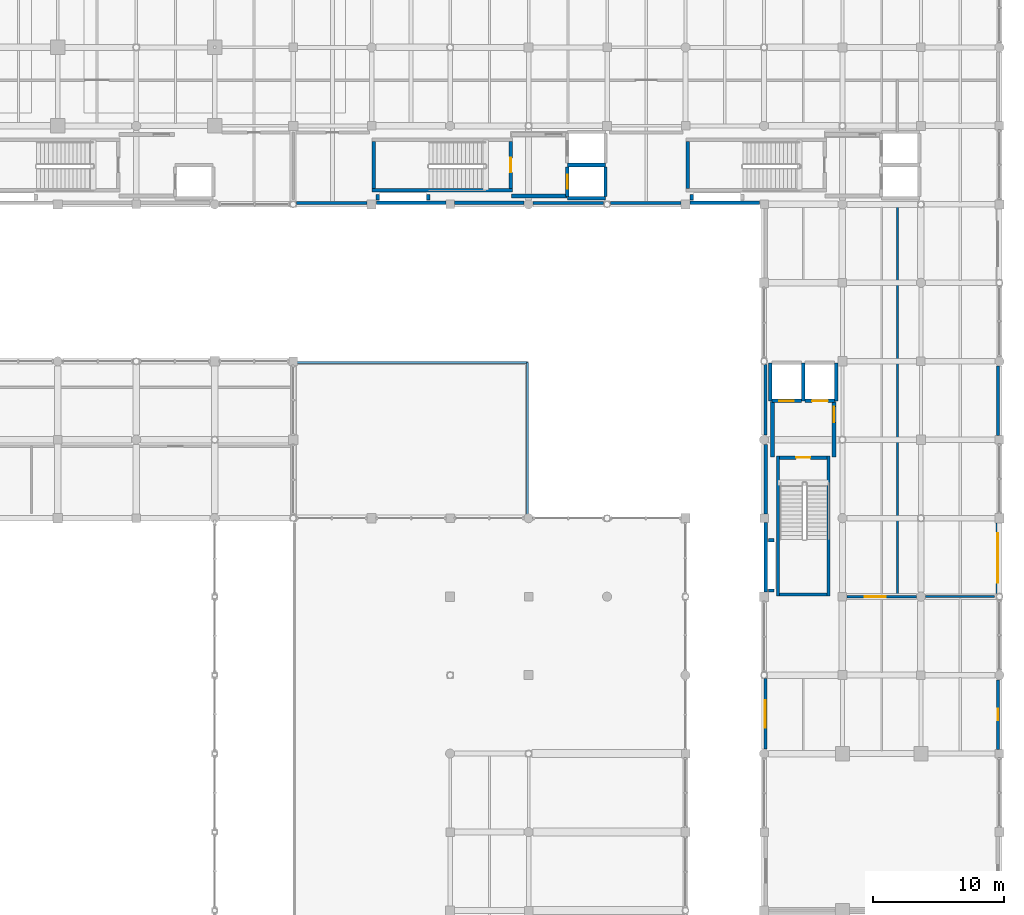
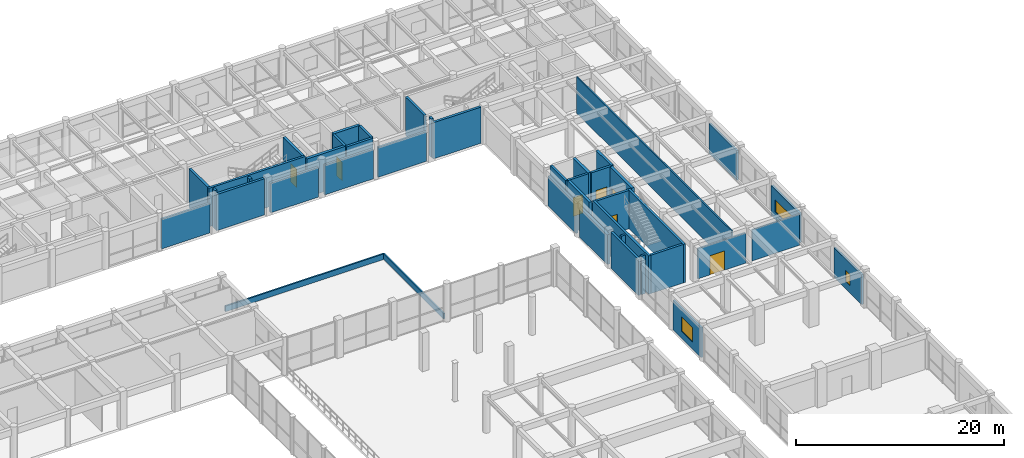
# One storey, part 94 of 116: 43 walls, 7 doors, 3 windows, 10 openings.
"""IFC4 building model written with IfcOpenShell, lengths in metres."""

import ifcopenshell
import ifcopenshell.guid

model = None  # the IFC model being written
_history = None  # IfcOwnerHistory: only IFC2X3 demands one
_inside = {}  # id of a spatial element -> (the spatial element, [elements in it])
_under = {}  # id of a project, library or spatial element -> (it, [spatial elements below it])
_declared = {}  # id of a project -> (the project, [libraries it declares])
_typed = {}  # id of a type object -> (the type object, [elements of that type])
_made_of = {}  # id of a material, layer set ... -> (it, [elements and type objects made of it])


def new_model(schema):
    """Start an empty IFC model of exactly this schema.

    Asked for "IFC4X3", IfcOpenShell would pick the latest addendum, in which some entities
    have other attributes; the version numbers below select the first issue.
    IFC2X3 requires an IfcOwnerHistory on every rooted entity: one is made here for all.
    """
    global model, _history
    if schema == "IFC4X3":
        model = ifcopenshell.file(schema_version=(4, 3, 0, 0))
    else:
        model = ifcopenshell.file(schema=schema)
    _inside.clear()
    _under.clear()
    _declared.clear()
    _typed.clear()
    _made_of.clear()
    _history = None
    if model.schema == "IFC2X3":
        org = make("IfcOrganization", Name="unknown")
        user = make(
            "IfcPersonAndOrganization",
            ThePerson=make("IfcPerson", FamilyName="unknown"),
            TheOrganization=org,
        )
        app = make(
            "IfcApplication",
            ApplicationDeveloper=org,
            Version="unknown",
            ApplicationFullName="unknown",
            ApplicationIdentifier="unknown",
        )
        _history = make(
            "IfcOwnerHistory",
            OwningUser=user,
            OwningApplication=app,
            ChangeAction="ADDED",
            CreationDate=0,
        )
    return model


def make(cls, **values):
    """One entity of the class cls with the attributes given. An attribute that is None is left unset."""
    return model.create_entity(
        cls, **{name: value for name, value in values.items() if value is not None}
    )


def rooted(cls, **values):
    """An entity with a GlobalId (a new one), such as an element, a storey or a relation."""
    return make(cls, GlobalId=ifcopenshell.guid.new(), OwnerHistory=_history, **values)


def si_unit(unit_type, name, prefix=None):
    """IfcSIUnit, for example si_unit("LENGTHUNIT", "METRE", prefix="MILLI")."""
    return make("IfcSIUnit", UnitType=unit_type, Prefix=prefix, Name=name)


def assignment(units):
    """IfcUnitAssignment: the units of a project."""
    return None if units is None else make("IfcUnitAssignment", Units=units)


def point(xyz):
    """IfcCartesianPoint."""
    return None if xyz is None else make("IfcCartesianPoint", Coordinates=xyz)


def direction(xyz):
    """IfcDirection."""
    return None if xyz is None else make("IfcDirection", DirectionRatios=xyz)


def frame(location, z_axis=None, x_axis=None):
    """IfcAxis2Placement3D, a coordinate frame: its origin and axes. An axis left out is left unset."""
    return make(
        "IfcAxis2Placement3D",
        Location=point(location),
        Axis=direction(z_axis),
        RefDirection=direction(x_axis),
    )


def frame_2d(location, x_axis=None):
    """IfcAxis2Placement2D, a coordinate frame in the plane: its origin and x axis."""
    return make(
        "IfcAxis2Placement2D", Location=point(location), RefDirection=direction(x_axis)
    )


def origin():
    """The frame at (0, 0, 0) with its axes left unset."""
    return frame((0.0, 0.0, 0.0))


def place(relative_to, where):
    """IfcLocalPlacement: puts the frame where relative to a parent placement (None: the world)."""
    return make(
        "IfcLocalPlacement", PlacementRelTo=relative_to, RelativePlacement=where
    )


def context(
    kind, dimensions, precision=None, world=None, true_north=None, identifier=None
):
    """IfcGeometricRepresentationContext, for example the 3D "Model" context."""
    return make(
        "IfcGeometricRepresentationContext",
        ContextIdentifier=identifier,
        ContextType=kind,
        CoordinateSpaceDimension=dimensions,
        Precision=precision,
        WorldCoordinateSystem=world,
        TrueNorth=true_north,
    )


def subcontext(parent, identifier, kind, view, scale=None):
    """IfcGeometricRepresentationSubContext, for example "Body" below "Model"."""
    return make(
        "IfcGeometricRepresentationSubContext",
        ContextIdentifier=identifier,
        ContextType=kind,
        ParentContext=parent,
        TargetScale=scale,
        TargetView=view,
    )


def project(units=None, contexts=None):
    """IfcProject with its units and contexts."""
    return rooted(
        "IfcProject",
        Name="project",
        RepresentationContexts=contexts,
        UnitsInContext=assignment(units),
    )


def spatial(cls, under=None, at=None, **own):
    """A site, building, storey or space (cls), placed at a placement, below another one or the project."""
    s = rooted(cls, ObjectPlacement=at, **own)
    if under is not None:
        _under.setdefault(under.id(), (under, []))[1].append(s)
    return s


def profile(cls, at=None, kind="AREA", **sizes):
    """A parametric profile (cls). Its sizes go by their IFC names, for example OverallWidth=200.0."""
    return make(cls, ProfileType=kind, Position=at, **sizes)


def rectangle(**sizes):
    """IfcRectangleProfileDef."""
    return profile("IfcRectangleProfileDef", **sizes)


def extrude(swept, where, along, depth):
    """IfcExtrudedAreaSolid: the profile swept, set in the frame where, extruded along a direction by depth."""
    return make(
        "IfcExtrudedAreaSolid",
        SweptArea=swept,
        Position=where,
        ExtrudedDirection=direction(along),
        Depth=depth,
    )


def shape(context_of_items, identifier, shape_type, items):
    """IfcShapeRepresentation: the items that make up one representation, for example the "Body"."""
    return make(
        "IfcShapeRepresentation",
        ContextOfItems=context_of_items,
        RepresentationIdentifier=identifier,
        RepresentationType=shape_type,
        Items=items,
    )


def material(Name=None, Category=None):
    """IfcMaterial."""
    return make("IfcMaterial", Name=Name, Category=Category)


def layer(
    of_material, thickness, ventilated=None, Name=None, Category=None, Priority=None
):
    """IfcMaterialLayer: one layer of a wall or slab, of a material (None: an air gap)."""
    return make(
        "IfcMaterialLayer",
        Material=of_material,
        LayerThickness=thickness,
        IsVentilated=ventilated,
        Name=Name,
        Category=Category,
        Priority=Priority,
    )


def layer_set(layers, Name=None):
    """IfcMaterialLayerSet."""
    return make("IfcMaterialLayerSet", MaterialLayers=layers, LayerSetName=Name)


def made_of(thing, what):
    """Note that an element or type object is made of a material, layer set ...; save() writes the relation."""
    if what is not None:
        _made_of.setdefault(what.id(), (what, []))[1].append(thing)
    return thing


def type_object(cls, material=None, **own):
    """A type object (cls), such as IfcWallType, which elements share."""
    return made_of(rooted(cls, **own), material)


def element(
    cls,
    number,
    at=None,
    inside=None,
    cuts=None,
    type_object=None,
    material=None,
    context=None,
    identifier="Body",
    shape_type=None,
    held_by="IfcProductDefinitionShape",
    body=None,
    shapes=None,
    **own,
):
    """One element of the class cls, such as IfcWall. Its Tag is "e" and its number.

    at: its placement. inside: the storey or other place that contains it. cuts: it is an
    opening in that element (IfcRelVoidsElement). A single representation is given by context,
    identifier, shape_type and body (its items); several are given by shapes. held_by: the class
    of the entity that holds the representations. save() writes the other relations.
    """
    e = rooted(cls, Tag="e%d" % number, ObjectPlacement=at, **own)
    if body is not None:
        shapes = [shape(context, identifier, shape_type, body)]
    if shapes is not None:
        e.Representation = make(held_by, Representations=shapes)
    if inside is not None:
        _inside.setdefault(inside.id(), (inside, []))[1].append(e)
    if cuts is not None:
        rooted(
            "IfcRelVoidsElement", RelatingBuildingElement=cuts, RelatedOpeningElement=e
        )
    if type_object is not None:
        _typed.setdefault(type_object.id(), (type_object, []))[1].append(e)
    return made_of(e, material)


def fill(opening, filler):
    """IfcRelFillsElement: the door or window that sits in an opening."""
    return rooted(
        "IfcRelFillsElement",
        RelatingOpeningElement=opening,
        RelatedBuildingElement=filler,
    )


def aggregate(whole, parts):
    """IfcRelAggregates: a whole, such as a stair, and the parts it consists of."""
    return rooted("IfcRelAggregates", RelatingObject=whole, RelatedObjects=parts)


def save(model, path):
    """Write the relations noted so far, then the file.

    IfcRelAggregates (storeys below a building ...), IfcRelContainedInSpatialStructure (elements
    in a storey), IfcRelDefinesByType, IfcRelAssociatesMaterial and IfcRelDeclares: one each for
    every whole, place, type object, material and project.
    """
    for whole, parts in _under.values():
        aggregate(whole, parts)
    for where, things in _inside.values():
        rooted(
            "IfcRelContainedInSpatialStructure",
            RelatedElements=things,
            RelatingStructure=where,
        )
    for kind, things in _typed.values():
        rooted("IfcRelDefinesByType", RelatedObjects=things, RelatingType=kind)
    for what, things in _made_of.values():
        rooted("IfcRelAssociatesMaterial", RelatedObjects=things, RelatingMaterial=what)
    for by, libraries in _declared.values():
        rooted("IfcRelDeclares", RelatingContext=by, RelatedDefinitions=libraries)
    model.write(path)


model = new_model("IFC4")

# Units and contexts
model_context = context("Model", 3, precision=1e-05, world=origin(), true_north=direction((0.0, 1.0)))
body_context = subcontext(model_context, "Body", "Model", "MODEL_VIEW")
ifc_project = project(units=[si_unit("LENGTHUNIT", "METRE"), si_unit("AREAUNIT", "SQUARE_METRE"), si_unit("VOLUMEUNIT", "CUBIC_METRE"), si_unit("PLANEANGLEUNIT", "RADIAN"), si_unit("MASSUNIT", "GRAM", prefix="KILO"), si_unit("THERMODYNAMICTEMPERATUREUNIT", "KELVIN"), si_unit("POWERUNIT", "WATT")], contexts=[model_context])

# Site, building, storey
site_placement = place(None, origin())
site = spatial("IfcSite", under=ifc_project, at=site_placement, CompositionType="ELEMENT")
building_placement = place(site_placement, origin())
building = spatial("IfcBuilding", under=site, at=building_placement, Name="Phaisarnlok Congress Hotel", CompositionType="ELEMENT")
storey_placement = place(building_placement, frame((0.0, 0.0, 10.5)))
storey = spatial("IfcBuildingStorey", under=building, at=storey_placement, Name="L02", CompositionType="ELEMENT", Elevation=10.5)

# Walls
ifc_material_1 = material(Name="Concrete C40/50", Category="concrete")
ifc_layer_1 = layer(ifc_material_1, 0.2099609375, Name="Concrete C40/50")
ifc_layer_set_1 = layer_set([ifc_layer_1], Name="Concrete C40/50")
wall_type_1 = type_object("IfcWallType", Name="WL-EXT-210", PredefinedType="SOLIDWALL", material=ifc_layer_set_1)
for number, where, z_axis, x_axis, name in (
    (1, (126.259033203125, 108.10498046875, 0.0), (0.0, 0.0, 1.0), (1.0, 0.0, 0.0), "Exterior wall EW-07 (L02)"),
    (2, (150.259033203125, 108.10498046875, 0.0), (0.0, 0.0, 1.0), (1.0, 0.0, 0.0), "Exterior wall EW-07 (L02)"),
    (3, (162.10498046875, 95.740966796875, 0.0), (0.0, 0.0, 1.0), (0.0, -1.0, 0.0), "Exterior wall EW-07 (L02)"),
):
    element("IfcWall", number, at=place(storey_placement, frame(where, z_axis=z_axis, x_axis=x_axis)), inside=storey, type_object=wall_type_1, Name=name, PredefinedType="SOLIDWALL", context=body_context, shape_type="SweptSolid", body=[
        extrude(rectangle(XDim=5.385986328125, YDim=0.2099609375, at=frame_2d((2.69287109375, 0.0))), origin(), (0.0, 0.0, 1.0), 3.489990234375),
    ])

# Wall, opening, window
wall_1_placement = place(storey_placement, frame((162.10498046875, 71.740966796875, 0.0), z_axis=(0.0, 0.0, 1.0), x_axis=(0.0, -1.0, 0.0)))
wall_1 = element("IfcWall", 4, at=wall_1_placement, inside=storey, type_object=wall_type_1, Name="Exterior wall EW-07 (L02)", PredefinedType="SOLIDWALL", context=body_context, shape_type="SweptSolid", body=[
    extrude(rectangle(XDim=5.385986328125, YDim=0.2099609375, at=frame_2d((2.69287109375, 0.0))), origin(), (0.0, 0.0, 1.0), 3.489990234375),
])
opening_1_placement = place(wall_1_placement, frame((1.64306640625, 0.0, 0.85009765625)))
opening_1 = element("IfcOpeningElement", 5, at=opening_1_placement, cuts=wall_1, Name="Opening W-09", PredefinedType="OPENING", context=body_context, shape_type="SweptSolid", body=[
    extrude(rectangle(XDim=2.10009765625, YDim=1.699951171875, at=frame_2d((1.050048828125, 0.85009765625))), frame((0.0, 0.114990234375, 0.0), z_axis=(0.0, -1.0, 0.0), x_axis=(1.0, 0.0, 0.0)), (0.0, 0.0, 1.0), 0.22998046875),
])
ifc_material_2 = material(Name="Thermally Broken Aluminium & Low-E Double Glazing", Category="aluminium")
window_type_1 = type_object("IfcWindowType", Name="WIN-POD-2100", PartitioningType="SINGLE_PANEL", PredefinedType="WINDOW", material=ifc_material_2)
window_1_placement = place(opening_1_placement, origin())
window_1 = element("IfcWindow", 6, at=window_1_placement, inside=storey, type_object=window_type_1, Name="Podium window W-09 (L02)", OverallHeight=1.699951171875, OverallWidth=2.10009765625, PartitioningType="SINGLE_PANEL", PredefinedType="WINDOW", context=body_context, shape_type="SweptSolid", body=[
    extrude(rectangle(XDim=2.10009765625, YDim=1.699951171875, at=frame_2d((1.050048828125, 0.85009765625))), frame((0.0, 0.030029296875, 0.0), z_axis=(0.0, -1.0, 0.0), x_axis=(1.0, 0.0, 0.0)), (0.0, 0.0, 1.0), 0.06005859375),
])
fill(opening_1, window_1)

wall_2_placement = place(storey_placement, frame((179.89501953125, 66.330078125, 0.0), z_axis=(0.0, 0.0, 1.0), x_axis=(0.0, 1.0, 0.0)))
wall_2 = element("IfcWall", 7, at=wall_2_placement, inside=storey, type_object=wall_type_1, Name="Exterior wall EW-07 (L02)", PredefinedType="SOLIDWALL", context=body_context, shape_type="SweptSolid", body=[
    extrude(rectangle(XDim=5.31494140625, YDim=0.2099609375, at=frame_2d((2.657470703125, 0.0))), origin(), (0.0, 0.0, 1.0), 3.489990234375),
])
opening_2_placement = place(wall_2_placement, frame((2.20703125, 0.0, 0.85009765625)))
opening_2 = element("IfcOpeningElement", 8, at=opening_2_placement, cuts=wall_2, Name="Opening W-16", PredefinedType="OPENING", context=body_context, shape_type="SweptSolid", body=[
    extrude(rectangle(XDim=0.89990234375, YDim=1.300048828125, at=frame_2d((0.449951171875, 0.64990234375))), frame((0.0, 0.114990234375, 0.0), z_axis=(0.0, -1.0, 0.0), x_axis=(1.0, 0.0, 0.0)), (0.0, 0.0, 1.0), 0.22998046875),
])
window_type_2 = type_object("IfcWindowType", Name="WIN-POD-0900", PartitioningType="SINGLE_PANEL", PredefinedType="WINDOW", material=ifc_material_2)
window_2_placement = place(opening_2_placement, origin())
window_2 = element("IfcWindow", 9, at=window_2_placement, inside=storey, type_object=window_type_2, Name="Podium window W-16 (L02)", OverallHeight=1.300048828125, OverallWidth=0.89990234375, PartitioningType="SINGLE_PANEL", PredefinedType="WINDOW", context=body_context, shape_type="SweptSolid", body=[
    extrude(rectangle(XDim=0.89990234375, YDim=1.300048828125, at=frame_2d((0.449951171875, 0.64990234375))), frame((0.0, 0.030029296875, 0.0), z_axis=(0.0, -1.0, 0.0), x_axis=(1.0, 0.0, 0.0)), (0.0, 0.0, 1.0), 0.06005859375),
])
fill(opening_2, window_2)

# Walls
wall_3_placement = place(storey_placement, frame((179.89501953125, 90.330078125, 0.0), z_axis=(0.0, 0.0, 1.0), x_axis=(0.0, 1.0, 0.0)))
element("IfcWall", 10, at=wall_3_placement, inside=storey, type_object=wall_type_1, Name="Exterior wall EW-07 (L02)", PredefinedType="SOLIDWALL", context=body_context, shape_type="SweptSolid", body=[
    extrude(rectangle(XDim=5.31494140625, YDim=0.2099609375, at=frame_2d((2.657470703125, 0.0))), origin(), (0.0, 0.0, 1.0), 3.489990234375),
])
ifc_layer_2 = layer(ifc_material_1, 0.22998046875, Name="Concrete C40/50")
ifc_layer_set_2 = layer_set([ifc_layer_2], Name="Concrete C40/50")
wall_type_2 = type_object("IfcWallType", Name="WL-EXT-230", PredefinedType="SOLIDWALL", material=ifc_layer_set_2)
wall_4_placement = place(storey_placement, frame((144.35498046875, 108.114990234375, 0.0), z_axis=(0.0, 0.0, 1.0), x_axis=(1.0, 0.0, 0.0)))
element("IfcWall", 11, at=wall_4_placement, inside=storey, type_object=wall_type_2, Name="Exterior wall EW-06 (L02)", PredefinedType="SOLIDWALL", context=body_context, shape_type="SweptSolid", body=[
    extrude(rectangle(XDim=5.385986328125, YDim=0.22998046875, at=frame_2d((2.69287109375, 0.0))), origin(), (0.0, 0.0, 1.0), 3.489990234375),
])
ifc_layer_3 = layer(ifc_material_1, 0.25, Name="Concrete C40/50")
ifc_layer_set_3 = layer_set([ifc_layer_3], Name="Concrete C40/50")
wall_type_3 = type_object("IfcWallType", Name="WL-EXT-250", PredefinedType="SOLIDWALL", material=ifc_layer_set_3)
wall_5_placement = place(storey_placement, frame((138.330078125, 108.125, 0.0), z_axis=(0.0, 0.0, 1.0), x_axis=(1.0, 0.0, 0.0)))
element("IfcWall", 12, at=wall_5_placement, inside=storey, type_object=wall_type_3, Name="Exterior wall EW-05 (L02)", PredefinedType="SOLIDWALL", context=body_context, shape_type="SweptSolid", body=[
    extrude(rectangle(XDim=5.31494140625, YDim=0.25, at=frame_2d((2.657470703125, 0.0))), origin(), (0.0, 0.0, 1.0), 3.489990234375),
])
wall_6_placement = place(storey_placement, frame((162.125, 83.669921875, 0.0), z_axis=(0.0, 0.0, 1.0), x_axis=(0.0, -1.0, 0.0)))
element("IfcWall", 13, at=wall_6_placement, inside=storey, type_object=wall_type_3, Name="Exterior wall EW-05 (L02)", PredefinedType="SOLIDWALL", context=body_context, shape_type="SweptSolid", body=[
    extrude(rectangle(XDim=5.31494140625, YDim=0.25, at=frame_2d((2.657470703125, 0.0))), origin(), (0.0, 0.0, 1.0), 4.239990234375),
])

# Wall, opening, window
wall_7_placement = place(storey_placement, frame((179.875, 78.259033203125, 0.0), z_axis=(0.0, 0.0, 1.0), x_axis=(0.0, 1.0, 0.0)))
wall_7 = element("IfcWall", 14, at=wall_7_placement, inside=storey, type_object=wall_type_3, Name="Exterior wall EW-05 (L02)", PredefinedType="SOLIDWALL", context=body_context, shape_type="SweptSolid", body=[
    extrude(rectangle(XDim=5.385986328125, YDim=0.25, at=frame_2d((2.69287109375, 0.0))), origin(), (0.0, 0.0, 1.0), 3.489990234375),
])
opening_3_placement = place(wall_7_placement, frame((0.79296875, 0.0, 0.85009765625)))
opening_3 = element("IfcOpeningElement", 15, at=opening_3_placement, cuts=wall_7, Name="Opening W-17", PredefinedType="OPENING", context=body_context, shape_type="SweptSolid", body=[
    extrude(rectangle(XDim=3.800048828125, YDim=1.449951171875, at=frame_2d((1.89990234375, 0.72509765625))), frame((0.0, 0.135009765625, 0.0), z_axis=(0.0, -1.0, 0.0), x_axis=(1.0, 0.0, 0.0)), (0.0, 0.0, 1.0), 0.27001953125),
])
window_type_3 = type_object("IfcWindowType", Name="WIN-RIB-3800", PartitioningType="SINGLE_PANEL", PredefinedType="WINDOW", material=ifc_material_2)
window_3_placement = place(opening_3_placement, origin())
window_3 = element("IfcWindow", 16, at=window_3_placement, inside=storey, type_object=window_type_3, Name="Podium window W-17 (L02)", OverallHeight=1.449951171875, OverallWidth=3.800048828125, PartitioningType="SINGLE_PANEL", PredefinedType="WINDOW", context=body_context, shape_type="SweptSolid", body=[
    extrude(rectangle(XDim=3.800048828125, YDim=1.449951171875, at=frame_2d((1.89990234375, 0.72509765625))), frame((0.0, 0.030029296875, 0.0), z_axis=(0.0, -1.0, 0.0), x_axis=(1.0, 0.0, 0.0)), (0.0, 0.0, 1.0), 0.06005859375),
])
fill(opening_3, window_3)

# Walls
ifc_layer_4 = layer(ifc_material_1, 0.27001953125, Name="Concrete C40/50")
ifc_layer_set_4 = layer_set([ifc_layer_4], Name="Concrete C40/50")
wall_type_4 = type_object("IfcWallType", Name="WL-EXT-270", PredefinedType="SOLIDWALL", material=ifc_layer_set_4)
for number, where, z_axis, x_axis, name in (
    (17, (132.35498046875, 108.135009765625, 0.0), (0.0, 0.0, 1.0), (1.0, 0.0, 0.0), "Exterior wall EW-04 (L02)"),
    (18, (156.35498046875, 108.135009765625, 0.0), (0.0, 0.0, 1.0), (1.0, 0.0, 0.0), "Exterior wall EW-04 (L02)"),
):
    element("IfcWall", number, at=place(storey_placement, frame(where, z_axis=z_axis, x_axis=x_axis)), inside=storey, type_object=wall_type_4, Name=name, PredefinedType="SOLIDWALL", context=body_context, shape_type="SweptSolid", body=[
        extrude(rectangle(XDim=5.31494140625, YDim=0.27001953125, at=frame_2d((2.657470703125, 0.0))), origin(), (0.0, 0.0, 1.0), 4.239990234375),
    ])
wall_8_placement = place(storey_placement, frame((162.135009765625, 89.64501953125, 0.0), z_axis=(0.0, 0.0, 1.0), x_axis=(0.0, -1.0, 0.0)))
element("IfcWall", 19, at=wall_8_placement, inside=storey, type_object=wall_type_4, Name="Exterior wall EW-04 (L02)", PredefinedType="SOLIDWALL", context=body_context, shape_type="SweptSolid", body=[
    extrude(rectangle(XDim=5.31494140625, YDim=0.27001953125, at=frame_2d((2.657470703125, 0.0))), origin(), (0.0, 0.0, 1.0), 3.489990234375),
])
ifc_material_3 = material(Name="Double-Stud Acoustic Gypsum Partition", Category="gypsum")
ifc_layer_5 = layer(ifc_material_3, 0.159912109375, Name="Double-Stud Acoustic Gypsum Partition")
ifc_layer_set_5 = layer_set([ifc_layer_5], Name="Double-Stud Acoustic Gypsum Partition")
wall_type_5 = type_object("IfcWallType", Name="WL-INT-160", PredefinedType="PARTITIONING", material=ifc_layer_set_5)
wall_9_placement = place(storey_placement, frame((172.199951171875, 78.0, 0.0), z_axis=(0.0, 0.0, 1.0), x_axis=(0.0, 1.0, 0.0)))
element("IfcWall", 20, at=wall_9_placement, inside=storey, type_object=wall_type_5, Name="Interior partition wall IW-04 (L02)", PredefinedType="PARTITIONING", context=body_context, shape_type="SweptSolid", body=[
    extrude(rectangle(XDim=29.820068359375, YDim=0.159912109375, at=frame_2d((14.91015625, 0.0))), origin(), (0.0, 0.0, 1.0), 4.239990234375),
])
wall_10_placement = place(storey_placement, frame((174.35498046875, 78.0, 0.0), z_axis=(0.0, 0.0, 1.0), x_axis=(1.0, 0.0, 0.0)))
element("IfcWall", 21, at=wall_10_placement, inside=storey, type_object=wall_type_5, Name="Interior partition wall IW-04 (L02)", PredefinedType="PARTITIONING", context=body_context, shape_type="SweptSolid", body=[
    extrude(rectangle(XDim=5.27490234375, YDim=0.159912109375, at=frame_2d((2.637451171875, 0.0))), origin(), (0.0, 0.0, 1.0), 3.639892578125),
])

# Wall, opening, door
ifc_material_4 = material(Name="Autoclaved Aerated Concrete Block", Category="concrete")
ifc_layer_6 = layer(ifc_material_4, 0.179931640625, Name="Autoclaved Aerated Concrete Block")
ifc_layer_set_6 = layer_set([ifc_layer_6], Name="Autoclaved Aerated Concrete Block")
wall_type_6 = type_object("IfcWallType", Name="WL-INT-180", PredefinedType="PARTITIONING", material=ifc_layer_set_6)
wall_11_placement = place(storey_placement, frame((168.330078125, 78.0, 0.0), z_axis=(0.0, 0.0, 1.0), x_axis=(1.0, 0.0, 0.0)))
wall_11 = element("IfcWall", 22, at=wall_11_placement, inside=storey, type_object=wall_type_6, Name="Interior partition wall IW-03 (L02)", PredefinedType="PARTITIONING", context=body_context, shape_type="SweptSolid", body=[
    extrude(rectangle(XDim=5.31494140625, YDim=0.179931640625, at=frame_2d((2.657470703125, 0.0))), origin(), (0.0, 0.0, 1.0), 3.5400390625),
])
opening_4_placement = place(wall_11_placement, frame((1.3701171875, 0.0, 0.0)))
opening_4 = element("IfcOpeningElement", 23, at=opening_4_placement, cuts=wall_11, Name="Opening D-0096", PredefinedType="OPENING", context=body_context, shape_type="SweptSolid", body=[
    extrude(rectangle(XDim=1.60009765625, YDim=2.25, at=frame_2d((0.800048828125, 1.125))), frame((0.0, 0.10009765625, 0.0), z_axis=(0.0, -1.0, 0.0), x_axis=(1.0, 0.0, 0.0)), (0.0, 0.0, 1.0), 0.199951171875),
])
ifc_material_5 = material(Name="Frameless Tempered Acoustic Glass", Category="glass")
door_type_1 = type_object("IfcDoorType", Name="DR-GLZ-1600", OperationType="DOUBLE_DOOR_SINGLE_SWING", PredefinedType="DOOR", material=ifc_material_5)
door_1_placement = place(opening_4_placement, origin())
door_1 = element("IfcDoor", 24, at=door_1_placement, inside=storey, type_object=door_type_1, Name="Interior door D-0096 (L02)", OperationType="DOUBLE_DOOR_SINGLE_SWING", OverallHeight=2.25, OverallWidth=1.60009765625, PredefinedType="DOOR", context=body_context, shape_type="SweptSolid", body=[
    extrude(rectangle(XDim=1.60009765625, YDim=2.25, at=frame_2d((0.800048828125, 1.125))), frame((0.0, 0.02490234375, 0.0), z_axis=(0.0, -1.0, 0.0), x_axis=(1.0, 0.0, 0.0)), (0.0, 0.0, 1.0), 0.050048828125),
])
fill(opening_4, door_1)

# Walls
ifc_layer_7 = layer(ifc_material_1, 0.169921875, Name="Concrete C40/50")
ifc_layer_set_7 = layer_set([ifc_layer_7], Name="Concrete C40/50")
wall_type_7 = type_object("IfcWallType", Name="WL-PAR-170", PredefinedType="PARAPET", material=ifc_layer_set_7)
wall_12_placement = place(storey_placement, frame((143.909912109375, 84.300048828125, 0.0), z_axis=(0.0, 0.0, 1.0), x_axis=(0.0, 1.0, 0.0)))
element("IfcWall", 25, at=wall_12_placement, inside=storey, type_object=wall_type_7, Name="Podium roof parapet WP-02 (L02)", PredefinedType="PARAPET", context=body_context, shape_type="SweptSolid", body=[
    extrude(rectangle(XDim=11.60986328125, YDim=0.169921875, at=frame_2d((5.804931640625, 0.0))), origin(), (0.0, 0.0, 1.0), 0.64990234375),
])
wall_13_placement = place(storey_placement, frame((143.909912109375, 95.909912109375, 0.0), z_axis=(0.0, 0.0, 1.0), x_axis=(-1.0, 0.0, 0.0)))
element("IfcWall", 26, at=wall_13_placement, inside=storey, type_object=wall_type_7, Name="Podium roof parapet WP-02 (L02)", PredefinedType="PARAPET", context=body_context, shape_type="SweptSolid", body=[
    extrude(rectangle(XDim=17.60986328125, YDim=0.169921875, at=frame_2d((8.804931640625, 0.0))), origin(), (0.0, 0.0, 1.0), 0.64990234375),
])
ifc_material_6 = material(Name="Concrete C50/60", Category="concrete")
ifc_layer_8 = layer(ifc_material_6, 0.260009765625, Name="Concrete C50/60")
ifc_layer_set_8 = layer_set([ifc_layer_8], Name="Concrete C50/60")
wall_type_8 = type_object("IfcWallType", Name="WL-SHR-260", PredefinedType="SHEAR", material=ifc_layer_set_8)
wall_14_placement = place(storey_placement, frame((156.169921875, 109.199951171875, 0.0), z_axis=(0.0, 0.0, 1.0), x_axis=(0.0, 1.0, 0.0)))
element("IfcWall", 27, at=wall_14_placement, inside=storey, type_object=wall_type_8, Name="Stair shaft shear wall SW-04 (CORE-1 L02)", PredefinedType="SHEAR", context=body_context, shape_type="SweptSolid", body=[
    extrude(rectangle(XDim=3.60009765625, YDim=0.260009765625, at=frame_2d((1.800048828125, 0.0))), origin(), (0.0, 0.0, 1.0), 4.5),
])
wall_15_placement = place(storey_placement, frame((156.469970703125, 108.330078125, 0.0), z_axis=(0.0, 0.0, 1.0), x_axis=(0.0, 1.0, 0.0)))
element("IfcWall", 28, at=wall_15_placement, inside=storey, type_object=wall_type_8, Name="Service riser shaft wall SW-04 (CORE-1 L02)", PredefinedType="SHEAR", context=body_context, shape_type="SweptSolid", body=[
    extrude(rectangle(XDim=0.43994140625, YDim=0.260009765625, at=frame_2d((0.219970703125, 0.0))), origin(), (0.0, 0.0, 1.0), 4.5),
])
wall_16_placement = place(storey_placement, frame((132.0400390625, 109.070068359375, 0.0), z_axis=(0.0, 0.0, 1.0), x_axis=(1.0, 0.0, 0.0)))
element("IfcWall", 29, at=wall_16_placement, inside=storey, type_object=wall_type_8, Name="Stair shaft shear wall SW-04 (CORE-2 L02)", PredefinedType="SHEAR", context=body_context, shape_type="SweptSolid", body=[
    extrude(rectangle(XDim=10.719970703125, YDim=0.260009765625, at=frame_2d((5.35986328125, 0.0))), origin(), (0.0, 0.0, 1.0), 4.5),
])
wall_17_placement = place(storey_placement, frame((132.169921875, 109.199951171875, 0.0), z_axis=(0.0, 0.0, 1.0), x_axis=(0.0, 1.0, 0.0)))
element("IfcWall", 30, at=wall_17_placement, inside=storey, type_object=wall_type_8, Name="Stair shaft shear wall SW-04 (CORE-2 L02)", PredefinedType="SHEAR", context=body_context, shape_type="SweptSolid", body=[
    extrude(rectangle(XDim=3.60009765625, YDim=0.260009765625, at=frame_2d((1.800048828125, 0.0))), origin(), (0.0, 0.0, 1.0), 4.5),
])

# Wall, opening, door
wall_18_placement = place(storey_placement, frame((142.6298828125, 109.199951171875, 0.0), z_axis=(0.0, 0.0, 1.0), x_axis=(0.0, 1.0, 0.0)))
wall_18 = element("IfcWall", 31, at=wall_18_placement, inside=storey, type_object=wall_type_8, Name="Stair shaft shear wall SW-04 (CORE-2 L02)", PredefinedType="SHEAR", context=body_context, shape_type="SweptSolid", body=[
    extrude(rectangle(XDim=3.60009765625, YDim=0.260009765625, at=frame_2d((1.800048828125, 0.0))), origin(), (0.0, 0.0, 1.0), 4.5),
])
opening_5_placement = place(wall_18_placement, frame((1.25, 0.0, 0.0)))
opening_5 = element("IfcOpeningElement", 32, at=opening_5_placement, cuts=wall_18, Name="Opening FD-034", PredefinedType="OPENING", context=body_context, shape_type="SweptSolid", body=[
    extrude(rectangle(XDim=1.10009765625, YDim=2.14990234375, at=frame_2d((0.550048828125, 1.074951171875))), frame((0.0, 0.14013671875, 0.0), z_axis=(0.0, -1.0, 0.0), x_axis=(1.0, 0.0, 0.0)), (0.0, 0.0, 1.0), 0.280029296875),
])
ifc_material_7 = material(Name="Fire-Rated Steel Frame & Timber Leaf", Category="steel")
door_type_2 = type_object("IfcDoorType", Name="DR-FD60-1100", OperationType="NOTDEFINED", PredefinedType="DOOR", material=ifc_material_7)
door_2_placement = place(opening_5_placement, origin())
door_2 = element("IfcDoor", 33, at=door_2_placement, inside=storey, type_object=door_type_2, Name="Stair enclosure fire door FD-034 (L02)", OperationType="SINGLE_SWING_LEFT", OverallHeight=2.14990234375, OverallWidth=1.10009765625, PredefinedType="DOOR", context=body_context, shape_type="SweptSolid", body=[
    extrude(rectangle(XDim=1.10009765625, YDim=2.14990234375, at=frame_2d((0.550048828125, 1.074951171875))), frame((0.0, 0.02490234375, 0.0), z_axis=(0.0, -1.0, 0.0), x_axis=(1.0, 0.0, 0.0)), (0.0, 0.0, 1.0), 0.050048828125),
])
fill(opening_5, door_2)

# Walls
wall_19_placement = place(storey_placement, frame((146.969970703125, 108.469970703125, 0.0), z_axis=(0.0, 0.0, 1.0), x_axis=(1.0, 0.0, 0.0)))
element("IfcWall", 34, at=wall_19_placement, inside=storey, type_object=wall_type_8, Name="Lift shaft shear wall SW-04 (LF-FF2 L02)", PredefinedType="SHEAR", context=body_context, shape_type="SweptSolid", body=[
    extrude(rectangle(XDim=2.909912109375, YDim=0.260009765625, at=frame_2d((1.455078125, 0.0))), origin(), (0.0, 0.0, 1.0), 4.5),
])
wall_20_placement = place(storey_placement, frame((149.8798828125, 108.60009765625, 0.0), z_axis=(0.0, 0.0, 1.0), x_axis=(0.0, 1.0, 0.0)))
element("IfcWall", 35, at=wall_20_placement, inside=storey, type_object=wall_type_8, Name="Lift shaft shear wall SW-04 (LF-FF2 L02)", PredefinedType="SHEAR", context=body_context, shape_type="SweptSolid", body=[
    extrude(rectangle(XDim=2.25, YDim=0.260009765625, at=frame_2d((1.125, 0.0))), origin(), (0.0, 0.0, 1.0), 4.5),
])

# Wall, opening, door
wall_21_placement = place(storey_placement, frame((146.969970703125, 108.60009765625, 0.0), z_axis=(0.0, 0.0, 1.0), x_axis=(0.0, 1.0, 0.0)))
wall_21 = element("IfcWall", 36, at=wall_21_placement, inside=storey, type_object=wall_type_8, Name="Lift shaft front wall SW-04 (LF-FF2 L02)", PredefinedType="SHEAR", context=body_context, shape_type="SweptSolid", body=[
    extrude(rectangle(XDim=2.25, YDim=0.260009765625, at=frame_2d((1.125, 0.0))), origin(), (0.0, 0.0, 1.0), 4.5),
])
opening_6_placement = place(wall_21_placement, frame((0.574951171875, 0.0, 0.0)))
opening_6 = element("IfcOpeningElement", 37, at=opening_6_placement, cuts=wall_21, Name="Opening LD-034", PredefinedType="OPENING", context=body_context, shape_type="SweptSolid", body=[
    extrude(rectangle(XDim=1.10009765625, YDim=2.199951171875, at=frame_2d((0.550048828125, 1.10009765625))), frame((0.0, 0.14013671875, 0.0), z_axis=(0.0, -1.0, 0.0), x_axis=(1.0, 0.0, 0.0)), (0.0, 0.0, 1.0), 0.280029296875),
])
ifc_material_8 = material(Name="Brushed Stainless Steel Grade 304", Category="steel")
door_type_3 = type_object("IfcDoorType", Name="DR-LD-1100", OperationType="DOUBLE_DOOR_SLIDING", PredefinedType="DOOR", material=ifc_material_8)
door_3_placement = place(opening_6_placement, origin())
door_3 = element("IfcDoor", 38, at=door_3_placement, inside=storey, type_object=door_type_3, Name="Lift landing sliding door LD-034 (LF-FF2 L02)", OperationType="DOUBLE_DOOR_SLIDING", OverallHeight=2.199951171875, OverallWidth=1.10009765625, PredefinedType="DOOR", context=body_context, shape_type="SweptSolid", body=[
    extrude(rectangle(XDim=1.10009765625, YDim=2.199951171875, at=frame_2d((0.550048828125, 1.10009765625))), frame((0.0, 0.02490234375, 0.0), z_axis=(0.0, -1.0, 0.0), x_axis=(1.0, 0.0, 0.0)), (0.0, 0.0, 1.0), 0.050048828125),
])
fill(opening_6, door_3)

# Walls
for number, where, z_axis, x_axis, name in (
    (39, (132.469970703125, 108.330078125, 0.0), (0.0, 0.0, 1.0), (0.0, 1.0, 0.0), "Service riser shaft wall SW-04 (CORE-2 L02)"),
    (40, (136.330078125, 108.330078125, 0.0), (0.0, 0.0, 1.0), (0.0, 1.0, 0.0), "Service riser shaft wall SW-04 (CORE-2 L02)"),
):
    element("IfcWall", number, at=place(storey_placement, frame(where, z_axis=z_axis, x_axis=x_axis)), inside=storey, type_object=wall_type_8, Name=name, PredefinedType="SHEAR", context=body_context, shape_type="SweptSolid", body=[
        extrude(rectangle(XDim=0.43994140625, YDim=0.260009765625, at=frame_2d((0.219970703125, 0.0))), origin(), (0.0, 0.0, 1.0), 4.5),
    ])
for number, where, z_axis, x_axis, name in (
    (41, (163.070068359375, 78.0400390625, 0.0), (0.0, 0.0, 1.0), (0.0, 1.0, 0.0), "Stair shaft shear wall SW-04 (CORE-3 L02)"),
    (42, (166.929931640625, 78.0400390625, 0.0), (0.0, 0.0, 1.0), (0.0, 1.0, 0.0), "Stair shaft shear wall SW-04 (CORE-3 L02)"),
):
    element("IfcWall", number, at=place(storey_placement, frame(where, z_axis=z_axis, x_axis=x_axis)), inside=storey, type_object=wall_type_8, Name=name, PredefinedType="SHEAR", context=body_context, shape_type="SweptSolid", body=[
        extrude(rectangle(XDim=10.719970703125, YDim=0.260009765625, at=frame_2d((5.35986328125, 0.0))), origin(), (0.0, 0.0, 1.0), 4.5),
    ])
wall_22_placement = place(storey_placement, frame((163.199951171875, 78.169921875, 0.0), z_axis=(0.0, 0.0, 1.0), x_axis=(1.0, 0.0, 0.0)))
element("IfcWall", 43, at=wall_22_placement, inside=storey, type_object=wall_type_8, Name="Stair shaft shear wall SW-04 (CORE-3 L02)", PredefinedType="SHEAR", context=body_context, shape_type="SweptSolid", body=[
    extrude(rectangle(XDim=3.60009765625, YDim=0.260009765625, at=frame_2d((1.800048828125, 0.0))), origin(), (0.0, 0.0, 1.0), 4.5),
])

# Wall, opening, door
wall_23_placement = place(storey_placement, frame((163.199951171875, 88.6298828125, 0.0), z_axis=(0.0, 0.0, 1.0), x_axis=(1.0, 0.0, 0.0)))
wall_23 = element("IfcWall", 44, at=wall_23_placement, inside=storey, type_object=wall_type_8, Name="Stair shaft shear wall SW-04 (CORE-3 L02)", PredefinedType="SHEAR", context=body_context, shape_type="SweptSolid", body=[
    extrude(rectangle(XDim=3.60009765625, YDim=0.260009765625, at=frame_2d((1.800048828125, 0.0))), origin(), (0.0, 0.0, 1.0), 4.5),
])
opening_7_placement = place(wall_23_placement, frame((1.25, 0.0, 0.0)))
opening_7 = element("IfcOpeningElement", 45, at=opening_7_placement, cuts=wall_23, Name="Opening FD-064", PredefinedType="OPENING", context=body_context, shape_type="SweptSolid", body=[
    extrude(rectangle(XDim=1.10009765625, YDim=2.14990234375, at=frame_2d((0.550048828125, 1.074951171875))), frame((0.0, 0.14013671875, 0.0), z_axis=(0.0, -1.0, 0.0), x_axis=(1.0, 0.0, 0.0)), (0.0, 0.0, 1.0), 0.280029296875),
])
door_4_placement = place(opening_7_placement, origin())
door_4 = element("IfcDoor", 46, at=door_4_placement, inside=storey, type_object=door_type_2, Name="Stair enclosure fire door FD-064 (L02)", OperationType="SINGLE_SWING_LEFT", OverallHeight=2.14990234375, OverallWidth=1.10009765625, PredefinedType="DOOR", context=body_context, shape_type="SweptSolid", body=[
    extrude(rectangle(XDim=1.10009765625, YDim=2.14990234375, at=frame_2d((0.550048828125, 1.074951171875))), frame((0.0, 0.02490234375, 0.0), z_axis=(0.0, -1.0, 0.0), x_axis=(1.0, 0.0, 0.0)), (0.0, 0.0, 1.0), 0.050048828125),
])
fill(opening_7, door_4)

# Wall
wall_24_placement = place(storey_placement, frame((162.469970703125, 92.969970703125, 0.0), z_axis=(0.0, 0.0, 1.0), x_axis=(0.0, 1.0, 0.0)))
element("IfcWall", 47, at=wall_24_placement, inside=storey, type_object=wall_type_8, Name="Lift shaft shear wall SW-04 (LF-HP3 L02)", PredefinedType="SHEAR", context=body_context, shape_type="SweptSolid", body=[
    extrude(rectangle(XDim=2.909912109375, YDim=0.260009765625, at=frame_2d((1.455078125, 0.0))), origin(), (0.0, 0.0, 1.0), 4.5),
])

# Wall, opening, door
wall_25_placement = place(storey_placement, frame((162.60009765625, 92.969970703125, 0.0), z_axis=(0.0, 0.0, 1.0), x_axis=(1.0, 0.0, 0.0)))
wall_25 = element("IfcWall", 48, at=wall_25_placement, inside=storey, type_object=wall_type_8, Name="Lift shaft front wall SW-04 (LF-HP3 L02)", PredefinedType="SHEAR", context=body_context, shape_type="SweptSolid", body=[
    extrude(rectangle(XDim=2.25, YDim=0.260009765625, at=frame_2d((1.125, 0.0))), origin(), (0.0, 0.0, 1.0), 4.5),
])
opening_8_placement = place(wall_25_placement, frame((0.574951171875, 0.0, 0.0)))
opening_8 = element("IfcOpeningElement", 49, at=opening_8_placement, cuts=wall_25, Name="Opening LD-064", PredefinedType="OPENING", context=body_context, shape_type="SweptSolid", body=[
    extrude(rectangle(XDim=1.10009765625, YDim=2.199951171875, at=frame_2d((0.550048828125, 1.10009765625))), frame((0.0, 0.14013671875, 0.0), z_axis=(0.0, -1.0, 0.0), x_axis=(1.0, 0.0, 0.0)), (0.0, 0.0, 1.0), 0.280029296875),
])
door_5_placement = place(opening_8_placement, origin())
door_5 = element("IfcDoor", 50, at=door_5_placement, inside=storey, type_object=door_type_3, Name="Lift landing sliding door LD-064 (LF-HP3 L02)", OperationType="DOUBLE_DOOR_SLIDING", OverallHeight=2.199951171875, OverallWidth=1.10009765625, PredefinedType="DOOR", context=body_context, shape_type="SweptSolid", body=[
    extrude(rectangle(XDim=1.10009765625, YDim=2.199951171875, at=frame_2d((0.550048828125, 1.10009765625))), frame((0.0, 0.02490234375, 0.0), z_axis=(0.0, -1.0, 0.0), x_axis=(1.0, 0.0, 0.0)), (0.0, 0.0, 1.0), 0.050048828125),
])
fill(opening_8, door_5)

# Wall
wall_26_placement = place(storey_placement, frame((167.530029296875, 92.969970703125, 0.0), z_axis=(0.0, 0.0, 1.0), x_axis=(0.0, 1.0, 0.0)))
element("IfcWall", 51, at=wall_26_placement, inside=storey, type_object=wall_type_8, Name="Lift shaft shear wall SW-04 (LF-SV1 L02)", PredefinedType="SHEAR", context=body_context, shape_type="SweptSolid", body=[
    extrude(rectangle(XDim=2.909912109375, YDim=0.260009765625, at=frame_2d((1.455078125, 0.0))), origin(), (0.0, 0.0, 1.0), 4.5),
])

# Wall, opening, door
wall_27_placement = place(storey_placement, frame((165.14990234375, 92.969970703125, 0.0), z_axis=(0.0, 0.0, 1.0), x_axis=(1.0, 0.0, 0.0)))
wall_27 = element("IfcWall", 52, at=wall_27_placement, inside=storey, type_object=wall_type_8, Name="Lift shaft front wall SW-04 (LF-SV1 L02)", PredefinedType="SHEAR", context=body_context, shape_type="SweptSolid", body=[
    extrude(rectangle(XDim=2.25, YDim=0.260009765625, at=frame_2d((1.125, 0.0))), origin(), (0.0, 0.0, 1.0), 4.5),
])
opening_9_placement = place(wall_27_placement, frame((0.52490234375, 0.0, 0.0)))
opening_9 = element("IfcOpeningElement", 53, at=opening_9_placement, cuts=wall_27, Name="Opening LD-079", PredefinedType="OPENING", context=body_context, shape_type="SweptSolid", body=[
    extrude(rectangle(XDim=1.199951171875, YDim=2.25, at=frame_2d((0.60009765625, 1.125))), frame((0.0, 0.14013671875, 0.0), z_axis=(0.0, -1.0, 0.0), x_axis=(1.0, 0.0, 0.0)), (0.0, 0.0, 1.0), 0.280029296875),
])
door_type_4 = type_object("IfcDoorType", Name="DR-LD-1200", OperationType="DOUBLE_DOOR_SLIDING", PredefinedType="DOOR", material=ifc_material_8)
door_6_placement = place(opening_9_placement, origin())
door_6 = element("IfcDoor", 54, at=door_6_placement, inside=storey, type_object=door_type_4, Name="Lift landing sliding door LD-079 (LF-SV1 L02)", OperationType="DOUBLE_DOOR_SLIDING", OverallHeight=2.25, OverallWidth=1.199951171875, PredefinedType="DOOR", context=body_context, shape_type="SweptSolid", body=[
    extrude(rectangle(XDim=1.199951171875, YDim=2.25, at=frame_2d((0.60009765625, 1.125))), frame((0.0, 0.02490234375, 0.0), z_axis=(0.0, -1.0, 0.0), x_axis=(1.0, 0.0, 0.0)), (0.0, 0.0, 1.0), 0.050048828125),
])
fill(opening_9, door_6)

# Walls
for number, where, z_axis, x_axis, name in (
    (55, (162.330078125, 78.469970703125, 0.0), (0.0, 0.0, 1.0), (1.0, 0.0, 0.0), "Service riser shaft wall SW-04 (CORE-3 L02)"),
    (56, (162.330078125, 82.330078125, 0.0), (0.0, 0.0, 1.0), (1.0, 0.0, 0.0), "Service riser shaft wall SW-04 (CORE-3 L02)"),
):
    element("IfcWall", number, at=place(storey_placement, frame(where, z_axis=z_axis, x_axis=x_axis)), inside=storey, type_object=wall_type_8, Name=name, PredefinedType="SHEAR", context=body_context, shape_type="SweptSolid", body=[
        extrude(rectangle(XDim=0.43994140625, YDim=0.260009765625, at=frame_2d((0.219970703125, 0.0))), origin(), (0.0, 0.0, 1.0), 4.5),
    ])
ifc_layer_9 = layer(ifc_material_6, 0.300048828125, Name="Concrete C50/60")
ifc_layer_set_9 = layer_set([ifc_layer_9], Name="Concrete C50/60")
wall_type_9 = type_object("IfcWallType", Name="WL-SHR-300", PredefinedType="SHEAR", material=ifc_layer_set_9)
wall_28_placement = place(storey_placement, frame((146.969970703125, 111.0, 0.0), z_axis=(0.0, 0.0, 1.0), x_axis=(1.0, 0.0, 0.0)))
element("IfcWall", 57, at=wall_28_placement, inside=storey, type_object=wall_type_9, Name="Lift shaft divider shear wall SW-03 (LF-FF2 L02)", PredefinedType="SHEAR", context=body_context, shape_type="SweptSolid", body=[
    extrude(rectangle(XDim=2.909912109375, YDim=0.300048828125, at=frame_2d((1.455078125, 0.0))), origin(), (0.0, 0.0, 1.0), 4.5),
])
wall_29_placement = place(storey_placement, frame((142.679931640625, 108.64990234375, 0.0), z_axis=(0.0, 0.0, 1.0), x_axis=(1.0, 0.0, 0.0)))
element("IfcWall", 58, at=wall_29_placement, inside=storey, type_object=wall_type_9, Name="Core lobby EI-120 wall SW-03 (CORE-2 L02)", PredefinedType="SHEAR", context=body_context, shape_type="SweptSolid", body=[
    extrude(rectangle(XDim=4.239990234375, YDim=0.300048828125, at=frame_2d((2.1201171875, 0.0))), origin(), (0.0, 0.0, 1.0), 4.5),
])
wall_30_placement = place(storey_placement, frame((165.0, 92.969970703125, 0.0), z_axis=(0.0, 0.0, 1.0), x_axis=(0.0, 1.0, 0.0)))
element("IfcWall", 59, at=wall_30_placement, inside=storey, type_object=wall_type_9, Name="Lift shaft divider shear wall SW-03 (LF-HP3 L02)", PredefinedType="SHEAR", context=body_context, shape_type="SweptSolid", body=[
    extrude(rectangle(XDim=2.909912109375, YDim=0.300048828125, at=frame_2d((1.455078125, 0.0))), origin(), (0.0, 0.0, 1.0), 4.5),
])

# Wall, opening, door
wall_31_placement = place(storey_placement, frame((167.35009765625, 88.679931640625, 0.0), z_axis=(0.0, 0.0, 1.0), x_axis=(0.0, 1.0, 0.0)))
wall_31 = element("IfcWall", 60, at=wall_31_placement, inside=storey, type_object=wall_type_9, Name="Core lobby EI-120 wall SW-03 (CORE-3 L02)", PredefinedType="SHEAR", context=body_context, shape_type="SweptSolid", body=[
    extrude(rectangle(XDim=4.239990234375, YDim=0.300048828125, at=frame_2d((2.1201171875, 0.0))), origin(), (0.0, 0.0, 1.0), 4.5),
])
opening_10_placement = place(wall_31_placement, frame((2.64990234375, 0.0, 0.0)))
opening_10 = element("IfcOpeningElement", 61, at=opening_10_placement, cuts=wall_31, Name="Opening FD-079", PredefinedType="OPENING", context=body_context, shape_type="SweptSolid", body=[
    extrude(rectangle(XDim=1.199951171875, YDim=2.199951171875, at=frame_2d((0.60009765625, 1.10009765625))), frame((0.0, 0.16015625, 0.0), z_axis=(0.0, -1.0, 0.0), x_axis=(1.0, 0.0, 0.0)), (0.0, 0.0, 1.0), 0.320068359375),
])
door_type_5 = type_object("IfcDoorType", Name="DR-FD60-1200", OperationType="NOTDEFINED", PredefinedType="DOOR", material=ifc_material_7)
door_7_placement = place(opening_10_placement, origin())
door_7 = element("IfcDoor", 62, at=door_7_placement, inside=storey, type_object=door_type_5, Name="Core lobby entrance door FD-079 (CORE-3 L02)", OperationType="SINGLE_SWING_RIGHT", OverallHeight=2.199951171875, OverallWidth=1.199951171875, PredefinedType="DOOR", context=body_context, shape_type="SweptSolid", body=[
    extrude(rectangle(XDim=1.199951171875, YDim=2.199951171875, at=frame_2d((0.60009765625, 1.10009765625))), frame((0.0, 0.02490234375, 0.0), z_axis=(0.0, -1.0, 0.0), x_axis=(1.0, 0.0, 0.0)), (0.0, 0.0, 1.0), 0.050048828125),
])
fill(opening_10, door_7)

# Wall
wall_32_placement = place(storey_placement, frame((162.64990234375, 88.679931640625, 0.0), z_axis=(0.0, 0.0, 1.0), x_axis=(0.0, 1.0, 0.0)))
element("IfcWall", 63, at=wall_32_placement, inside=storey, type_object=wall_type_9, Name="Core lobby EI-120 wall SW-03 (CORE-3 L02)", PredefinedType="SHEAR", context=body_context, shape_type="SweptSolid", body=[
    extrude(rectangle(XDim=4.239990234375, YDim=0.300048828125, at=frame_2d((2.1201171875, 0.0))), origin(), (0.0, 0.0, 1.0), 4.5),
])

save(model, "model.ifc")
